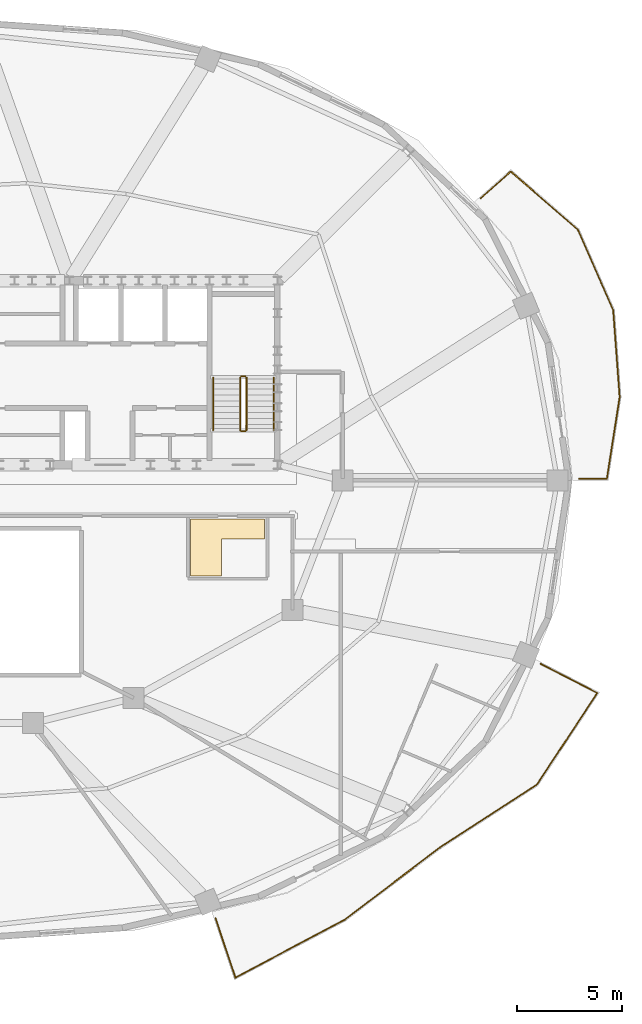
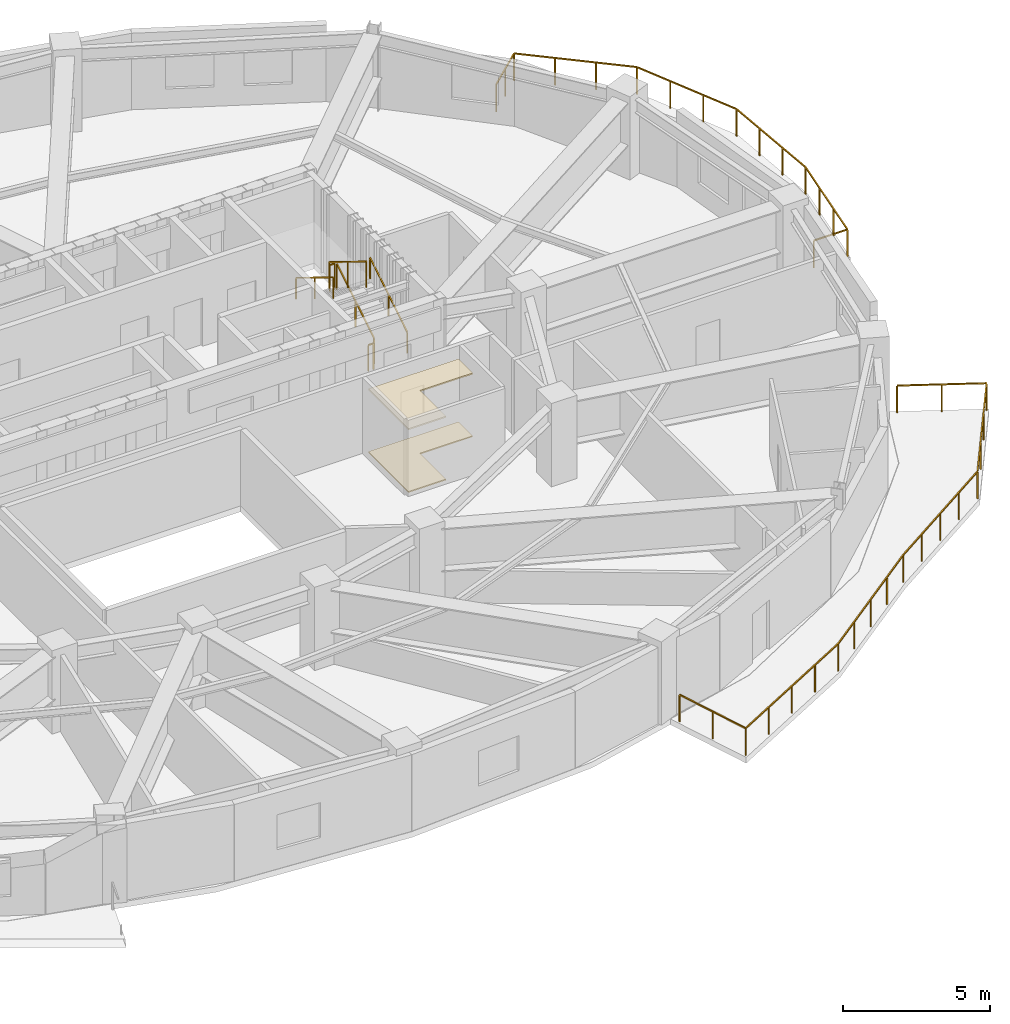
# One storey, part 12 of 12: 8 railings, 2 coverings.
"""IFC4 building model written with IfcOpenShell, lengths in metres."""

from ifc_helpers import new_model, si_unit, direction, frame, origin, origin_2d, place, context, subcontext, project, spatial, polyline, rectangle, outline, extrude, material, layer, layer_set, type_object, element, save


model = new_model("IFC4")

# Units and contexts
model_context = context("Model", 3, precision=1e-05, world=origin(), true_north=direction((0.0, 1.0)))
body_context = subcontext(model_context, "Body", "Model", "MODEL_VIEW")
ifc_project = project(units=[si_unit("LENGTHUNIT", "METRE"), si_unit("AREAUNIT", "SQUARE_METRE"), si_unit("VOLUMEUNIT", "CUBIC_METRE"), si_unit("PLANEANGLEUNIT", "RADIAN"), si_unit("MASSUNIT", "GRAM", prefix="KILO")], contexts=[model_context])

# Site, building, storey
site_placement = place(None, origin())
site = spatial("IfcSite", under=ifc_project, at=site_placement, CompositionType="ELEMENT")
building_placement = place(site_placement, origin())
building = spatial("IfcBuilding", under=site, at=building_placement, Name="Haldorwick Loom Tower", CompositionType="ELEMENT")
storey_placement = place(building_placement, frame((0.0, 0.0, 237.449951171875)))
storey = spatial("IfcBuildingStorey", under=building, at=storey_placement, Name="L64", CompositionType="ELEMENT", Elevation=237.449951171875)

# Coverings
ifc_material_1 = material(Name="Mineral Fibre Acoustic Ceiling Tile")
ifc_layer_1 = layer(ifc_material_1, 0.054931640625, Name="Mineral Fibre Acoustic Ceiling Tile")
ifc_layer_set_1 = layer_set([ifc_layer_1], Name="Mineral Fibre Acoustic Ceiling Tile")
covering_type_1 = type_object("IfcCoveringType", Name="ARC-COV-CEIL2", PredefinedType="CEILING", material=ifc_layer_set_1)
covering_1_placement = place(storey_placement, frame((0.0, 0.0, 2.594970703125)))
element("IfcCovering", 1, at=covering_1_placement, inside=storey, type_object=covering_type_1, Name="L64 Acoustic Suspended Ceiling 2", PredefinedType="CEILING", context=body_context, shape_type="SweptSolid", body=[
    extrude(outline(polyline([(45.929931640625, 24.159912109375), (45.929931640625, 21.429931640625), (47.39990234375, 21.429931640625), (47.39990234375, 23.199951171875), (49.469970703125, 23.199951171875), (49.469970703125, 24.159912109375), (45.929931640625, 24.159912109375)])), origin(), (0.0, 0.0, 1.0), 0.05517578125),
])
ifc_material_2 = material(Name="Polished Aggregate Terrazzo Finish")
ifc_layer_2 = layer(ifc_material_2, 0.044921875, Name="Polished Aggregate Terrazzo Finish")
ifc_layer_set_2 = layer_set([ifc_layer_2], Name="Polished Aggregate Terrazzo Finish")
covering_type_2 = type_object("IfcCoveringType", Name="ARC-COV-FLOOR2", PredefinedType="FLOORING", material=ifc_layer_set_2)
covering_2_placement = place(storey_placement, origin())
element("IfcCovering", 2, at=covering_2_placement, inside=storey, type_object=covering_type_2, Name="L64 Floor Finish 2", PredefinedType="FLOORING", context=body_context, shape_type="SweptSolid", body=[
    extrude(outline(polyline([(45.929931640625, 24.159912109375), (45.929931640625, 21.429931640625), (47.39990234375, 21.429931640625), (47.39990234375, 23.199951171875), (49.469970703125, 23.199951171875), (49.469970703125, 24.159912109375), (45.929931640625, 24.159912109375)])), origin(), (0.0, 0.0, 1.0), 0.045166015625),
])

# Railings
ifc_material_3 = material(Name="Galvanized Steel CSA G40.21 350W", Category="steel")
railing_type_1 = type_object("IfcRailingType", Name="ARC-RLG-BAL115", PredefinedType="BALUSTRADE", material=ifc_material_3)
railing_1_placement = place(storey_placement, frame((62.660400390625, 17.232666015625, 0.0)))
element("IfcRailing", 3, at=railing_1_placement, inside=storey, type_object=railing_type_1, Name="L64 Outdoor Terrace Guardrail SLB-L64-BAL_SE-1", PredefinedType="BALUSTRADE", context=body_context, shape_type="SweptSolid", body=[
    extrude(rectangle(XDim=0.048095703125, YDim=0.048095703125, at=origin_2d()), frame((0.0, 0.0, 1.1259765625), z_axis=(0.888524619414, -0.458828944918, 0.0), x_axis=(0.458828944918, 0.888524619414, 0.0)), (0.0, 0.0, 1.0), 3.0419921875),
    extrude(rectangle(XDim=0.048095703125, YDim=0.048095703125, at=origin_2d()), frame((2.702880859375, -1.395751953125, 1.1259765625), z_axis=(-0.549979466656, -0.835178176353, 0.0), x_axis=(0.835178176353, -0.549979466656, 0.0)), (0.0, 0.0, 1.0), 5.2373046875),
    extrude(rectangle(XDim=0.048095703125, YDim=0.048095703125, at=origin_2d()), frame((-0.177490234375, -5.769775390625, 1.1259765625), z_axis=(-0.839016715555, -0.544105643253, 0.0), x_axis=(0.544105643253, -0.839016715555, 0.0)), (0.0, 0.0, 1.0), 5.543212890625),
    extrude(rectangle(XDim=0.048095703125, YDim=0.048095703125, at=origin_2d()), frame((-4.828369140625, -8.785888671875, 1.1259765625), z_axis=(-0.819231920519, -0.573462344363, 0.0), x_axis=(0.573462344363, -0.819231920519, 0.0)), (0.0, 0.0, 1.0), 0.005859375),
    extrude(rectangle(XDim=0.048095703125, YDim=0.048095703125, at=origin_2d()), frame((-4.833251953125, -8.789306640625, 1.1259765625), z_axis=(-0.796516988208, -0.604616148887, 0.0), x_axis=(0.604616148887, -0.796516988208, 0.0)), (0.0, 0.0, 1.0), 5.699462890625),
    extrude(rectangle(XDim=0.048095703125, YDim=0.048095703125, at=origin_2d()), frame((-9.373046875, -12.2353515625, 1.1259765625), z_axis=(-0.883895499373, -0.467684451514, 0.0), x_axis=(0.467684451514, -0.883895499373, 0.0)), (0.0, 0.0, 1.0), 5.905029296875),
    extrude(rectangle(XDim=0.048095703125, YDim=0.048095703125, at=origin_2d()), frame((-14.592529296875, -14.9970703125, 1.1259765625), z_axis=(-0.316594076548, 0.948561115951, 0.0), x_axis=(-0.948561115951, -0.316594076548, 0.0)), (0.0, 0.0, 1.0), 2.9990234375),
    extrude(rectangle(XDim=0.0419921875, YDim=0.0419921875, at=origin_2d()), origin(), (0.0, 0.0, 1.0), 1.101806640625),
    extrude(rectangle(XDim=0.0419921875, YDim=0.0419921875, at=origin_2d()), frame((1.3515625, -0.69775390625, 0.0)), (0.0, 0.0, 1.0), 1.101806640625),
    extrude(rectangle(XDim=0.0419921875, YDim=0.0419921875, at=origin_2d()), frame((2.702880859375, -1.395751953125, 0.0)), (0.0, 0.0, 1.0), 1.101806640625),
    extrude(rectangle(XDim=0.0419921875, YDim=0.0419921875, at=origin_2d()), frame((1.74267578125, -2.853759765625, 0.0)), (0.0, 0.0, 1.0), 1.101806640625),
    extrude(rectangle(XDim=0.0419921875, YDim=0.0419921875, at=origin_2d()), frame((0.78271484375, -4.311767578125, 0.0)), (0.0, 0.0, 1.0), 1.101806640625),
    extrude(rectangle(XDim=0.0419921875, YDim=0.0419921875, at=origin_2d()), frame((-0.177490234375, -5.769775390625, 0.0)), (0.0, 0.0, 1.0), 1.101806640625),
    extrude(rectangle(XDim=0.0419921875, YDim=0.0419921875, at=origin_2d()), frame((-1.34033203125, -6.52392578125, 0.0)), (0.0, 0.0, 1.0), 1.101806640625),
    extrude(rectangle(XDim=0.0419921875, YDim=0.0419921875, at=origin_2d()), frame((-2.5029296875, -7.27783203125, 0.0)), (0.0, 0.0, 1.0), 1.101806640625),
    extrude(rectangle(XDim=0.0419921875, YDim=0.0419921875, at=origin_2d()), frame((-3.66552734375, -8.03173828125, 0.0)), (0.0, 0.0, 1.0), 1.101806640625),
    extrude(rectangle(XDim=0.0419921875, YDim=0.0419921875, at=origin_2d()), frame((-4.828369140625, -8.785888671875, 0.0)), (0.0, 0.0, 1.0), 1.101806640625),
    extrude(rectangle(XDim=0.0419921875, YDim=0.0419921875, at=origin_2d()), frame((-5.96826171875, -9.65087890625, 0.0)), (0.0, 0.0, 1.0), 1.101806640625),
    extrude(rectangle(XDim=0.0419921875, YDim=0.0419921875, at=origin_2d()), frame((-7.10302734375, -10.51220703125, 0.0)), (0.0, 0.0, 1.0), 1.101806640625),
    extrude(rectangle(XDim=0.0419921875, YDim=0.0419921875, at=origin_2d()), frame((-8.238037109375, -11.373779296875, 0.0)), (0.0, 0.0, 1.0), 1.101806640625),
    extrude(rectangle(XDim=0.0419921875, YDim=0.0419921875, at=origin_2d()), frame((-9.373046875, -12.2353515625, 0.0)), (0.0, 0.0, 1.0), 1.101806640625),
    extrude(rectangle(XDim=0.0419921875, YDim=0.0419921875, at=origin_2d()), frame((-10.677978515625, -12.92578125, 0.0)), (0.0, 0.0, 1.0), 1.101806640625),
    extrude(rectangle(XDim=0.0419921875, YDim=0.0419921875, at=origin_2d()), frame((-11.98291015625, -13.6162109375, 0.0)), (0.0, 0.0, 1.0), 1.101806640625),
    extrude(rectangle(XDim=0.0419921875, YDim=0.0419921875, at=origin_2d()), frame((-13.28759765625, -14.306640625, 0.0)), (0.0, 0.0, 1.0), 1.101806640625),
    extrude(rectangle(XDim=0.0419921875, YDim=0.0419921875, at=origin_2d()), frame((-14.592529296875, -14.9970703125, 0.0)), (0.0, 0.0, 1.0), 1.101806640625),
    extrude(rectangle(XDim=0.0419921875, YDim=0.0419921875, at=origin_2d()), frame((-15.0673828125, -13.57470703125, 0.0)), (0.0, 0.0, 1.0), 1.101806640625),
    extrude(rectangle(XDim=0.0419921875, YDim=0.0419921875, at=origin_2d()), frame((-15.5419921875, -12.15234375, 0.0)), (0.0, 0.0, 1.0), 1.101806640625),
])
railing_2_placement = place(storey_placement, frame((59.790771484375, 39.47802734375, 0.0)))
element("IfcRailing", 4, at=railing_2_placement, inside=storey, type_object=railing_type_1, Name="L64 Outdoor Terrace Guardrail SLB-L64-BAL_ENE-1", PredefinedType="BALUSTRADE", context=body_context, shape_type="SweptSolid", body=[
    extrude(rectangle(XDim=0.048095703125, YDim=0.048095703125, at=origin_2d()), frame((0.0, 0.0, 1.1259765625), z_axis=(0.746027335235, 0.665915321255, 0.0), x_axis=(-0.665915321255, 0.746027335235, 0.0)), (0.0, 0.0, 1.0), 1.93212890625),
    extrude(rectangle(XDim=0.048095703125, YDim=0.048095703125, at=origin_2d()), frame((1.44140625, 1.28662109375, 1.1259765625), z_axis=(0.754863947747, -0.655881407262, 0.0), x_axis=(0.655881407262, 0.754863947747, 0.0)), (0.0, 0.0, 1.0), 4.249755859375),
    extrude(rectangle(XDim=0.048095703125, YDim=0.048095703125, at=origin_2d()), frame((4.6494140625, -1.500732421875, 1.1259765625), z_axis=(0.40174023839, -0.91575366822, 0.0), x_axis=(0.91575366822, 0.40174023839, 0.0)), (0.0, 0.0, 1.0), 4.19677734375),
    extrude(rectangle(XDim=0.048095703125, YDim=0.048095703125, at=origin_2d()), frame((6.33544921875, -5.343994140625, 1.1259765625), z_axis=(0.074485213789, -0.99722211815, 0.0), x_axis=(0.99722211815, 0.074485213789, 0.0)), (0.0, 0.0, 1.0), 4.16259765625),
    extrude(rectangle(XDim=0.048095703125, YDim=0.048095703125, at=origin_2d()), frame((6.6455078125, -9.4951171875, 1.1259765625), z_axis=(-0.154870789644, -0.987934733935, 0.0), x_axis=(0.987934733935, -0.154870789644, 0.0)), (0.0, 0.0, 1.0), 3.950439453125),
    extrude(rectangle(XDim=0.048095703125, YDim=0.048095703125, at=origin_2d()), frame((6.03369140625, -13.39794921875, 1.1259765625), z_axis=(-1.0, 0.0, 0.0), x_axis=(0.0, -1.0, 0.0)), (0.0, 0.0, 1.0), 1.31494140625),
    extrude(rectangle(XDim=0.0419921875, YDim=0.0419921875, at=origin_2d()), origin(), (0.0, 0.0, 1.0), 1.101806640625),
    extrude(rectangle(XDim=0.0419921875, YDim=0.0419921875, at=origin_2d()), frame((0.720703125, 0.643310546875, 0.0)), (0.0, 0.0, 1.0), 1.101806640625),
    extrude(rectangle(XDim=0.0419921875, YDim=0.0419921875, at=origin_2d()), frame((1.44140625, 1.28662109375, 0.0)), (0.0, 0.0, 1.0), 1.101806640625),
    extrude(rectangle(XDim=0.0419921875, YDim=0.0419921875, at=origin_2d()), frame((2.5107421875, 0.357421875, 0.0)), (0.0, 0.0, 1.0), 1.101806640625),
    extrude(rectangle(XDim=0.0419921875, YDim=0.0419921875, at=origin_2d()), frame((3.580078125, -0.571533203125, 0.0)), (0.0, 0.0, 1.0), 1.101806640625),
    extrude(rectangle(XDim=0.0419921875, YDim=0.0419921875, at=origin_2d()), frame((4.6494140625, -1.500732421875, 0.0)), (0.0, 0.0, 1.0), 1.101806640625),
    extrude(rectangle(XDim=0.0419921875, YDim=0.0419921875, at=origin_2d()), frame((5.21142578125, -2.78173828125, 0.0)), (0.0, 0.0, 1.0), 1.101806640625),
    extrude(rectangle(XDim=0.0419921875, YDim=0.0419921875, at=origin_2d()), frame((5.7734375, -4.06298828125, 0.0)), (0.0, 0.0, 1.0), 1.101806640625),
    extrude(rectangle(XDim=0.0419921875, YDim=0.0419921875, at=origin_2d()), frame((6.33544921875, -5.343994140625, 0.0)), (0.0, 0.0, 1.0), 1.101806640625),
    extrude(rectangle(XDim=0.0419921875, YDim=0.0419921875, at=origin_2d()), frame((6.438720703125, -6.727783203125, 0.0)), (0.0, 0.0, 1.0), 1.101806640625),
    extrude(rectangle(XDim=0.0419921875, YDim=0.0419921875, at=origin_2d()), frame((6.542236328125, -8.111328125, 0.0)), (0.0, 0.0, 1.0), 1.101806640625),
    extrude(rectangle(XDim=0.0419921875, YDim=0.0419921875, at=origin_2d()), frame((6.6455078125, -9.4951171875, 0.0)), (0.0, 0.0, 1.0), 1.101806640625),
    extrude(rectangle(XDim=0.0419921875, YDim=0.0419921875, at=origin_2d()), frame((6.441650390625, -10.796142578125, 0.0)), (0.0, 0.0, 1.0), 1.101806640625),
    extrude(rectangle(XDim=0.0419921875, YDim=0.0419921875, at=origin_2d()), frame((6.237548828125, -12.096923828125, 0.0)), (0.0, 0.0, 1.0), 1.101806640625),
    extrude(rectangle(XDim=0.0419921875, YDim=0.0419921875, at=origin_2d()), frame((6.03369140625, -13.39794921875, 0.0)), (0.0, 0.0, 1.0), 1.101806640625),
    extrude(rectangle(XDim=0.0419921875, YDim=0.0419921875, at=origin_2d()), frame((4.71875, -13.39794921875, 0.0)), (0.0, 0.0, 1.0), 1.101806640625),
])
ifc_material_4 = material(Name="Steel CSA G40.21 350W", Category="steel")
railing_type_2 = type_object("IfcRailingType", Name="ARC-RLG-GUARD112", PredefinedType="GUARDRAIL", material=ifc_material_4)
railing_3_placement = place(storey_placement, frame((48.60009765625, 28.39990234375, 0.172607421875)))
element("IfcRailing", 5, at=railing_3_placement, inside=storey, type_object=railing_type_2, Name="L64 ST-02 stair guard 1", PredefinedType="GUARDRAIL", context=body_context, shape_type="SweptSolid", body=[
    extrude(rectangle(XDim=0.048095703125, YDim=0.048095703125, at=origin_2d()), frame((0.0, 0.0, 1.076171875), z_axis=(0.0, 0.851400495292, 0.524516154772), x_axis=(-1.0, 0.0, 0.0)), (0.0, 0.0, 1.0), 2.9599609375),
    extrude(rectangle(XDim=0.0419921875, YDim=0.0419921875, at=origin_2d()), origin(), (0.0, 0.0, 1.0), 1.052001953125),
    extrude(rectangle(XDim=0.0419921875, YDim=0.0419921875, at=origin_2d()), frame((0.0, 1.260009765625, 0.7763671875)), (0.0, 0.0, 1.0), 1.052001953125),
    extrude(rectangle(XDim=0.0419921875, YDim=0.0419921875, at=origin_2d()), frame((0.0, 2.52001953125, 1.552490234375)), (0.0, 0.0, 1.0), 1.052001953125),
])
railing_4_placement = place(storey_placement, frame((48.550048828125, 30.969970703125, 1.72509765625)))
element("IfcRailing", 6, at=railing_4_placement, inside=storey, type_object=railing_type_2, Name="L64 ST-02 stair guard 2", PredefinedType="GUARDRAIL", context=body_context, shape_type="SweptSolid", body=[
    extrude(rectangle(XDim=0.048095703125, YDim=0.048095703125, at=origin_2d()), frame((0.0, 0.0, 1.076171875), z_axis=(-1.0, 0.0, 0.0), x_axis=(0.0, -1.0, 0.0)), (0.0, 0.0, 1.0), 0.199951171875),
    extrude(rectangle(XDim=0.0419921875, YDim=0.0419921875, at=origin_2d()), origin(), (0.0, 0.0, 1.0), 1.052001953125),
    extrude(rectangle(XDim=0.0419921875, YDim=0.0419921875, at=origin_2d()), frame((-0.199951171875, 0.0, 0.0)), (0.0, 0.0, 1.0), 1.052001953125),
])
railing_5_placement = place(storey_placement, frame((48.300048828125, 30.919921875, 1.8974609375)))
element("IfcRailing", 7, at=railing_5_placement, inside=storey, type_object=railing_type_2, Name="L64 ST-02 stair guard 3", PredefinedType="GUARDRAIL", context=body_context, shape_type="SweptSolid", body=[
    extrude(rectangle(XDim=0.048095703125, YDim=0.048095703125, at=origin_2d()), frame((0.0, 0.0, 1.076171875), z_axis=(0.0, -0.851400495292, 0.524516154772), x_axis=(1.0, 0.0, 0.0)), (0.0, 0.0, 1.0), 2.9599609375),
    extrude(rectangle(XDim=0.0419921875, YDim=0.0419921875, at=origin_2d()), origin(), (0.0, 0.0, 1.0), 1.052001953125),
    extrude(rectangle(XDim=0.0419921875, YDim=0.0419921875, at=origin_2d()), frame((0.0, -1.260009765625, 0.7763671875)), (0.0, 0.0, 1.0), 1.052001953125),
    extrude(rectangle(XDim=0.0419921875, YDim=0.0419921875, at=origin_2d()), frame((0.0, -2.52001953125, 1.552490234375)), (0.0, 0.0, 1.0), 1.052001953125),
])
railing_6_placement = place(storey_placement, frame((48.550048828125, 28.35009765625, 0.0)))
element("IfcRailing", 8, at=railing_6_placement, inside=storey, type_object=railing_type_2, Name="L64 ST-02 stair guard 4", PredefinedType="GUARDRAIL", context=body_context, shape_type="SweptSolid", body=[
    extrude(rectangle(XDim=0.048095703125, YDim=0.048095703125, at=origin_2d()), frame((0.0, 0.0, 1.076171875), z_axis=(-1.0, 0.0, 0.0), x_axis=(0.0, -1.0, 0.0)), (0.0, 0.0, 1.0), 0.199951171875),
    extrude(rectangle(XDim=0.0419921875, YDim=0.0419921875, at=origin_2d()), origin(), (0.0, 0.0, 1.0), 1.052001953125),
    extrude(rectangle(XDim=0.0419921875, YDim=0.0419921875, at=origin_2d()), frame((-0.199951171875, 0.0, 0.0)), (0.0, 0.0, 1.0), 1.052001953125),
])
railing_type_3 = type_object("IfcRailingType", Name="ARC-RLG-HAND092", PredefinedType="HANDRAIL", material=ifc_material_4)
railing_7_placement = place(storey_placement, frame((49.89990234375, 28.39990234375, 0.172607421875)))
element("IfcRailing", 9, at=railing_7_placement, inside=storey, type_object=railing_type_3, Name="L64 ST-02 stair handrail 1", PredefinedType="HANDRAIL", context=body_context, shape_type="SweptSolid", body=[
    extrude(rectangle(XDim=0.048095703125, YDim=0.048095703125, at=origin_2d()), frame((0.0, 0.0, 0.8759765625), z_axis=(0.0, 0.851400495292, 0.524516154772), x_axis=(-1.0, 0.0, 0.0)), (0.0, 0.0, 1.0), 2.9599609375),
    extrude(rectangle(XDim=0.0419921875, YDim=0.0419921875, at=origin_2d()), origin(), (0.0, 0.0, 1.0), 0.851806640625),
    extrude(rectangle(XDim=0.0419921875, YDim=0.0419921875, at=origin_2d()), frame((0.0, 1.260009765625, 0.7763671875)), (0.0, 0.0, 1.0), 0.851806640625),
    extrude(rectangle(XDim=0.0419921875, YDim=0.0419921875, at=origin_2d()), frame((0.0, 2.52001953125, 1.552490234375)), (0.0, 0.0, 1.0), 0.851806640625),
])
railing_8_placement = place(storey_placement, frame((47.0, 30.919921875, 1.8974609375)))
element("IfcRailing", 10, at=railing_8_placement, inside=storey, type_object=railing_type_3, Name="L64 ST-02 stair handrail 2", PredefinedType="HANDRAIL", context=body_context, shape_type="SweptSolid", body=[
    extrude(rectangle(XDim=0.048095703125, YDim=0.048095703125, at=origin_2d()), frame((0.0, 0.0, 0.8759765625), z_axis=(0.0, -0.851400495292, 0.524516154772), x_axis=(1.0, 0.0, 0.0)), (0.0, 0.0, 1.0), 2.9599609375),
    extrude(rectangle(XDim=0.0419921875, YDim=0.0419921875, at=origin_2d()), origin(), (0.0, 0.0, 1.0), 0.851806640625),
    extrude(rectangle(XDim=0.0419921875, YDim=0.0419921875, at=origin_2d()), frame((0.0, -1.260009765625, 0.7763671875)), (0.0, 0.0, 1.0), 0.851806640625),
    extrude(rectangle(XDim=0.0419921875, YDim=0.0419921875, at=origin_2d()), frame((0.0, -2.52001953125, 1.552490234375)), (0.0, 0.0, 1.0), 0.851806640625),
])

save(model, "model.ifc")
